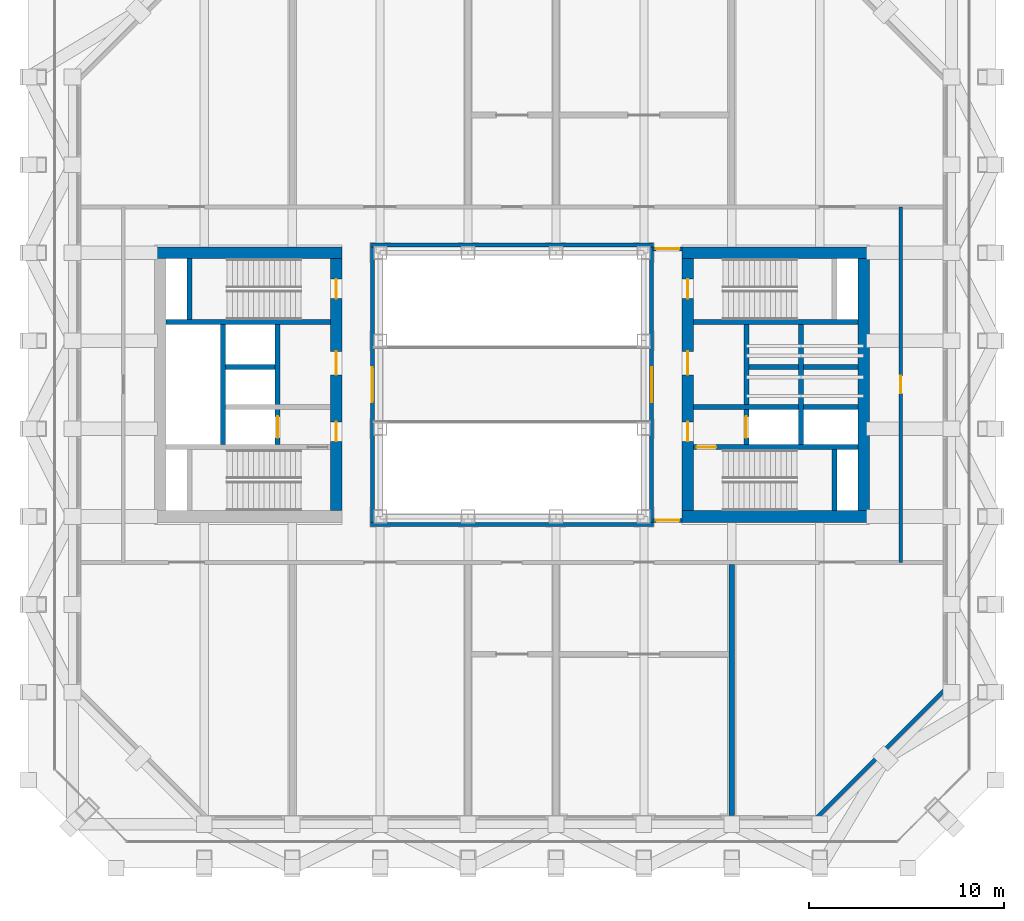
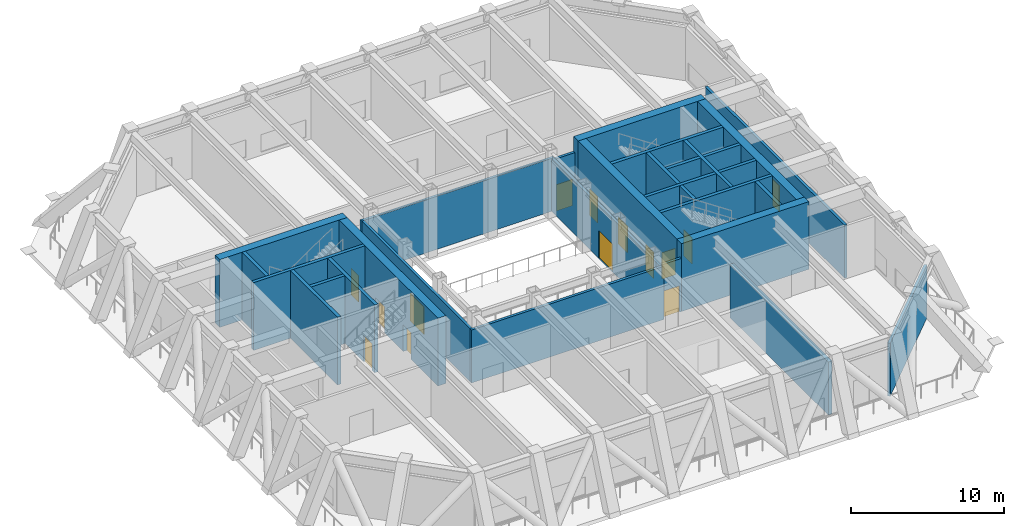
# One storey, part 4 of 9: 29 walls, 14 doors, 14 openings.
"""IFC4 building model written with IfcOpenShell, lengths in metres."""

from ifc_helpers import new_model, si_unit, direction, frame, frame_2d, origin, place, context, subcontext, project, spatial, rectangle, extrude, material, layer, layer_set, type_object, element, fill, save


model = new_model("IFC4")

# Units and contexts
model_context = context("Model", 3, precision=1e-05, world=origin(), true_north=direction((0.0, 1.0)))
body_context = subcontext(model_context, "Body", "Model", "MODEL_VIEW")
ifc_project = project(units=[si_unit("LENGTHUNIT", "METRE"), si_unit("AREAUNIT", "SQUARE_METRE"), si_unit("VOLUMEUNIT", "CUBIC_METRE"), si_unit("PLANEANGLEUNIT", "RADIAN"), si_unit("MASSUNIT", "GRAM", prefix="KILO")], contexts=[model_context])

# Site, building, storey
site_placement = place(None, origin())
site = spatial("IfcSite", under=ifc_project, at=site_placement, CompositionType="ELEMENT")
building_placement = place(site_placement, origin())
building = spatial("IfcBuilding", under=site, at=building_placement, Name="Msasa Ring Tower", CompositionType="ELEMENT")
storey_placement = place(building_placement, frame((0.0, 0.0, 107.0)))
storey = spatial("IfcBuildingStorey", under=building, at=storey_placement, Name="L28", CompositionType="ELEMENT", Elevation=107.0)

# Walls
ifc_material_1 = material(Name="Concrete C60/75", Category="concrete")
ifc_layer_1 = layer(ifc_material_1, 0.60009765625)
ifc_layer_set_1 = layer_set([ifc_layer_1], Name="CW2 CORE WALL 600")
wall_type_1 = type_object("IfcWallType", Name="CW2 CORE WALL 600", PredefinedType="SHEAR", material=ifc_layer_set_1)
for number, where, z_axis, x_axis, name in (
    (1, (8.699951171875, -6.75, 0.0), (0.0, 0.0, 1.0), (1.0, 0.0, 0.0), "E core wall S L28"),
    (2, (8.699951171875, 6.75, 0.0), (0.0, 0.0, 1.0), (1.0, 0.0, 0.0), "E core wall N L28"),
):
    element("IfcWall", number, at=place(storey_placement, frame(where, z_axis=z_axis, x_axis=x_axis)), inside=storey, type_object=wall_type_1, Name=name, PredefinedType="SHEAR", context=body_context, shape_type="SweptSolid", body=[
        extrude(rectangle(XDim=9.60009765625, YDim=0.60009765625, at=frame_2d((4.800048828125, 0.0))), origin(), (0.0, 0.0, 1.0), 5.39990234375),
    ])

# Wall, openings, doors
wall_1_placement = place(storey_placement, frame((9.0, -6.449951171875, 0.0), z_axis=(0.0, 0.0, 1.0), x_axis=(0.0, 1.0, 0.0)))
wall_1 = element("IfcWall", 3, at=wall_1_placement, inside=storey, type_object=wall_type_1, Name="E core wall W L28", PredefinedType="SHEAR", context=body_context, shape_type="SweptSolid", body=[
    extrude(rectangle(XDim=12.89990234375, YDim=0.60009765625, at=frame_2d((6.449951171875, 0.0))), origin(), (0.0, 0.0, 1.0), 5.39990234375),
])
opening_1_placement = place(wall_1_placement, frame((3.550048828125, 0.0, 0.0)))
opening_1 = element("IfcOpeningElement", 4, at=opening_1_placement, cuts=wall_1, Name="Opening L28-020", PredefinedType="OPENING", context=body_context, shape_type="SweptSolid", body=[
    extrude(rectangle(XDim=1.0, YDim=2.10009765625, at=frame_2d((0.5, 1.050048828125))), frame((0.0, 0.31005859375, 0.0), z_axis=(0.0, -1.0, 0.0), x_axis=(1.0, 0.0, 0.0)), (0.0, 0.0, 1.0), 0.6201171875),
])
opening_2_placement = place(wall_1_placement, frame((6.949951171875, 0.0, 0.0)))
opening_2 = element("IfcOpeningElement", 5, at=opening_2_placement, cuts=wall_1, Name="Opening L28-014", PredefinedType="OPENING", context=body_context, shape_type="SweptSolid", body=[
    extrude(rectangle(XDim=1.199951171875, YDim=2.10009765625, at=frame_2d((0.60009765625, 1.050048828125))), frame((0.0, 0.31005859375, 0.0), z_axis=(0.0, -1.0, 0.0), x_axis=(1.0, 0.0, 0.0)), (0.0, 0.0, 1.0), 0.6201171875),
])
opening_3_placement = place(wall_1_placement, frame((10.85009765625, 0.0, 0.0)))
opening_3 = element("IfcOpeningElement", 6, at=opening_3_placement, cuts=wall_1, Name="Opening L28-012", PredefinedType="OPENING", context=body_context, shape_type="SweptSolid", body=[
    extrude(rectangle(XDim=1.0, YDim=2.10009765625, at=frame_2d((0.5, 1.050048828125))), frame((0.0, 0.31005859375, 0.0), z_axis=(0.0, -1.0, 0.0), x_axis=(1.0, 0.0, 0.0)), (0.0, 0.0, 1.0), 0.6201171875),
])
ifc_material_2 = material(Name="Timber door leaf in a steel frame", Category="steel")
door_type_1 = type_object("IfcDoorType", Name="D26 WIDE SERVICE ROOM DOOR 1200x2100", OperationType="SINGLE_SWING_LEFT", PredefinedType="DOOR", material=ifc_material_2)
door_1_placement = place(opening_2_placement, origin())
door_1 = element("IfcDoor", 7, at=door_1_placement, inside=storey, type_object=door_type_1, Name="Door L28-ECR", OperationType="SINGLE_SWING_RIGHT", OverallHeight=2.10009765625, OverallWidth=1.199951171875, PredefinedType="DOOR", context=body_context, shape_type="SweptSolid", body=[
    extrude(rectangle(XDim=1.199951171875, YDim=2.10009765625, at=frame_2d((0.60009765625, 1.050048828125))), frame((0.0, 0.02490234375, 0.0), z_axis=(0.0, -1.0, 0.0), x_axis=(1.0, 0.0, 0.0)), (0.0, 0.0, 1.0), 0.050048828125),
])
fill(opening_2, door_1)
ifc_material_3 = material(Name="Timber door leaf in a steel frame", Category="steel")
door_type_2 = type_object("IfcDoorType", Name="D4 LOBBY DOOR 1000x2100", OperationType="SINGLE_SWING_LEFT", PredefinedType="DOOR", material=ifc_material_3)
door_2_placement = place(opening_1_placement, origin())
door_2 = element("IfcDoor", 8, at=door_2_placement, inside=storey, type_object=door_type_2, Name="Door L28-EFFL", OperationType="SINGLE_SWING_LEFT", OverallHeight=2.10009765625, OverallWidth=1.0, PredefinedType="DOOR", context=body_context, shape_type="SweptSolid", body=[
    extrude(rectangle(XDim=1.0, YDim=2.10009765625, at=frame_2d((0.5, 1.050048828125))), frame((0.0, 0.02490234375, 0.0), z_axis=(0.0, -1.0, 0.0), x_axis=(1.0, 0.0, 0.0)), (0.0, 0.0, 1.0), 0.050048828125),
])
fill(opening_1, door_2)
ifc_material_4 = material(Name="Timber door leaf in a steel frame", Category="steel")
door_type_3 = type_object("IfcDoorType", Name="D6 STAIR DOOR 1000x2100", OperationType="SINGLE_SWING_LEFT", PredefinedType="DOOR", material=ifc_material_4)
door_3_placement = place(opening_3_placement, origin())
door_3 = element("IfcDoor", 9, at=door_3_placement, inside=storey, type_object=door_type_3, Name="Door L28-ESTB", OperationType="SINGLE_SWING_RIGHT", OverallHeight=2.10009765625, OverallWidth=1.0, PredefinedType="DOOR", context=body_context, shape_type="SweptSolid", body=[
    extrude(rectangle(XDim=1.0, YDim=2.10009765625, at=frame_2d((0.5, 1.050048828125))), frame((0.0, 0.02490234375, 0.0), z_axis=(0.0, -1.0, 0.0), x_axis=(1.0, 0.0, 0.0)), (0.0, 0.0, 1.0), 0.050048828125),
])
fill(opening_3, door_3)

# Walls
wall_2_placement = place(storey_placement, frame((18.0, -6.449951171875, 0.0), z_axis=(0.0, 0.0, 1.0), x_axis=(0.0, 1.0, 0.0)))
element("IfcWall", 10, at=wall_2_placement, inside=storey, type_object=wall_type_1, Name="E core wall E L28", PredefinedType="SHEAR", context=body_context, shape_type="SweptSolid", body=[
    extrude(rectangle(XDim=12.89990234375, YDim=0.60009765625, at=frame_2d((6.449951171875, 0.0))), origin(), (0.0, 0.0, 1.0), 5.39990234375),
])
wall_3_placement = place(storey_placement, frame((-8.699951171875, 6.75, 0.0), z_axis=(0.0, 0.0, 1.0), x_axis=(-1.0, 0.0, 0.0)))
element("IfcWall", 11, at=wall_3_placement, inside=storey, type_object=wall_type_1, Name="W core wall N L28", PredefinedType="SHEAR", context=body_context, shape_type="SweptSolid", body=[
    extrude(rectangle(XDim=9.60009765625, YDim=0.60009765625, at=frame_2d((4.800048828125, 0.0))), origin(), (0.0, 0.0, 1.0), 5.39990234375),
])

# Wall, openings, doors
wall_4_placement = place(storey_placement, frame((-9.0, -6.449951171875, 0.0), z_axis=(0.0, 0.0, 1.0), x_axis=(0.0, 1.0, 0.0)))
wall_4 = element("IfcWall", 12, at=wall_4_placement, inside=storey, type_object=wall_type_1, Name="W core wall W L28", PredefinedType="SHEAR", context=body_context, shape_type="SweptSolid", body=[
    extrude(rectangle(XDim=12.89990234375, YDim=0.60009765625, at=frame_2d((6.449951171875, 0.0))), origin(), (0.0, 0.0, 1.0), 5.39990234375),
])
opening_4_placement = place(wall_4_placement, frame((3.550048828125, 0.0, 0.0)))
opening_4 = element("IfcOpeningElement", 13, at=opening_4_placement, cuts=wall_4, Name="Opening L28-019", PredefinedType="OPENING", context=body_context, shape_type="SweptSolid", body=[
    extrude(rectangle(XDim=1.0, YDim=2.10009765625, at=frame_2d((0.5, 1.050048828125))), frame((0.0, 0.31005859375, 0.0), z_axis=(0.0, -1.0, 0.0), x_axis=(1.0, 0.0, 0.0)), (0.0, 0.0, 1.0), 0.6201171875),
])
opening_5_placement = place(wall_4_placement, frame((6.949951171875, 0.0, 0.0)))
opening_5 = element("IfcOpeningElement", 14, at=opening_5_placement, cuts=wall_4, Name="Opening L28-013", PredefinedType="OPENING", context=body_context, shape_type="SweptSolid", body=[
    extrude(rectangle(XDim=1.199951171875, YDim=2.10009765625, at=frame_2d((0.60009765625, 1.050048828125))), frame((0.0, 0.31005859375, 0.0), z_axis=(0.0, -1.0, 0.0), x_axis=(1.0, 0.0, 0.0)), (0.0, 0.0, 1.0), 0.6201171875),
])
opening_6_placement = place(wall_4_placement, frame((10.85009765625, 0.0, 0.0)))
opening_6 = element("IfcOpeningElement", 15, at=opening_6_placement, cuts=wall_4, Name="Opening L28-011", PredefinedType="OPENING", context=body_context, shape_type="SweptSolid", body=[
    extrude(rectangle(XDim=1.0, YDim=2.10009765625, at=frame_2d((0.5, 1.050048828125))), frame((0.0, 0.31005859375, 0.0), z_axis=(0.0, -1.0, 0.0), x_axis=(1.0, 0.0, 0.0)), (0.0, 0.0, 1.0), 0.6201171875),
])
door_4_placement = place(opening_5_placement, origin())
door_4 = element("IfcDoor", 16, at=door_4_placement, inside=storey, type_object=door_type_1, Name="Door L28-WCR", OperationType="SINGLE_SWING_RIGHT", OverallHeight=2.10009765625, OverallWidth=1.199951171875, PredefinedType="DOOR", context=body_context, shape_type="SweptSolid", body=[
    extrude(rectangle(XDim=1.199951171875, YDim=2.10009765625, at=frame_2d((0.60009765625, 1.050048828125))), frame((0.0, 0.02490234375, 0.0), z_axis=(0.0, -1.0, 0.0), x_axis=(1.0, 0.0, 0.0)), (0.0, 0.0, 1.0), 0.050048828125),
])
fill(opening_5, door_4)
door_5_placement = place(opening_4_placement, origin())
door_5 = element("IfcDoor", 17, at=door_5_placement, inside=storey, type_object=door_type_2, Name="Door L28-WFFL", OperationType="SINGLE_SWING_LEFT", OverallHeight=2.10009765625, OverallWidth=1.0, PredefinedType="DOOR", context=body_context, shape_type="SweptSolid", body=[
    extrude(rectangle(XDim=1.0, YDim=2.10009765625, at=frame_2d((0.5, 1.050048828125))), frame((0.0, 0.02490234375, 0.0), z_axis=(0.0, -1.0, 0.0), x_axis=(1.0, 0.0, 0.0)), (0.0, 0.0, 1.0), 0.050048828125),
])
fill(opening_4, door_5)
door_6_placement = place(opening_6_placement, origin())
door_6 = element("IfcDoor", 18, at=door_6_placement, inside=storey, type_object=door_type_3, Name="Door L28-WSTB", OperationType="SINGLE_SWING_RIGHT", OverallHeight=2.10009765625, OverallWidth=1.0, PredefinedType="DOOR", context=body_context, shape_type="SweptSolid", body=[
    extrude(rectangle(XDim=1.0, YDim=2.10009765625, at=frame_2d((0.5, 1.050048828125))), frame((0.0, 0.02490234375, 0.0), z_axis=(0.0, -1.0, 0.0), x_axis=(1.0, 0.0, 0.0)), (0.0, 0.0, 1.0), 0.050048828125),
])
fill(opening_6, door_6)

# Wall, opening, door
ifc_material_5 = material(Name="Concrete C60/75", Category="concrete")
ifc_layer_2 = layer(ifc_material_5, 0.25)
ifc_layer_set_2 = layer_set([ifc_layer_2], Name="CW4 CORE INNER WALL 250")
wall_type_2 = type_object("IfcWallType", Name="CW4 CORE INNER WALL 250", PredefinedType="SHEAR", material=ifc_layer_set_2)
wall_5_placement = place(storey_placement, frame((9.300048828125, -3.199951171875, 0.0), z_axis=(0.0, 0.0, 1.0), x_axis=(1.0, 0.0, 0.0)))
wall_5 = element("IfcWall", 19, at=wall_5_placement, inside=storey, type_object=wall_type_2, Name="E core wall STAIRA L28", PredefinedType="SHEAR", context=body_context, shape_type="SweptSolid", body=[
    extrude(rectangle(XDim=8.39990234375, YDim=0.25, at=frame_2d((4.199951171875, 0.0))), origin(), (0.0, 0.0, 1.0), 5.39990234375),
])
opening_7_placement = place(wall_5_placement, frame((0.14990234375, 0.0, 0.0)))
opening_7 = element("IfcOpeningElement", 20, at=opening_7_placement, cuts=wall_5, Name="Opening L28-022", PredefinedType="OPENING", context=body_context, shape_type="SweptSolid", body=[
    extrude(rectangle(XDim=1.0, YDim=2.10009765625, at=frame_2d((0.5, 1.050048828125))), frame((0.0, 0.135009765625, 0.0), z_axis=(0.0, -1.0, 0.0), x_axis=(1.0, 0.0, 0.0)), (0.0, 0.0, 1.0), 0.27001953125),
])
door_7_placement = place(opening_7_placement, origin())
door_7 = element("IfcDoor", 21, at=door_7_placement, inside=storey, type_object=door_type_3, Name="Door L28-ESTA", OperationType="SINGLE_SWING_LEFT", OverallHeight=2.10009765625, OverallWidth=1.0, PredefinedType="DOOR", context=body_context, shape_type="SweptSolid", body=[
    extrude(rectangle(XDim=1.0, YDim=2.10009765625, at=frame_2d((0.5, 1.050048828125))), frame((0.0, 0.02490234375, 0.0), z_axis=(0.0, -1.0, 0.0), x_axis=(1.0, 0.0, 0.0)), (0.0, 0.0, 1.0), 0.050048828125),
])
fill(opening_7, door_7)

# Walls
wall_6_placement = place(storey_placement, frame((9.300048828125, 3.199951171875, 0.0), z_axis=(0.0, 0.0, 1.0), x_axis=(1.0, 0.0, 0.0)))
element("IfcWall", 22, at=wall_6_placement, inside=storey, type_object=wall_type_2, Name="E core wall STAIRB L28", PredefinedType="SHEAR", context=body_context, shape_type="SweptSolid", body=[
    extrude(rectangle(XDim=8.39990234375, YDim=0.25, at=frame_2d((4.199951171875, 0.0))), origin(), (0.0, 0.0, 1.0), 5.39990234375),
])
wall_7_placement = place(storey_placement, frame((16.5, -6.449951171875, 0.0), z_axis=(0.0, 0.0, 1.0), x_axis=(0.0, 1.0, 0.0)))
element("IfcWall", 23, at=wall_7_placement, inside=storey, type_object=wall_type_2, Name="E core wall RISERA L28", PredefinedType="SHEAR", context=body_context, shape_type="SweptSolid", body=[
    extrude(rectangle(XDim=3.125, YDim=0.25, at=frame_2d((1.5625, 0.0))), origin(), (0.0, 0.0, 1.0), 5.39990234375),
])
wall_8_placement = place(storey_placement, frame((9.300048828125, -1.14990234375, 0.0), z_axis=(0.0, 0.0, 1.0), x_axis=(1.0, 0.0, 0.0)))
element("IfcWall", 24, at=wall_8_placement, inside=storey, type_object=wall_type_2, Name="E core wall FFL L28", PredefinedType="SHEAR", context=body_context, shape_type="SweptSolid", body=[
    extrude(rectangle(XDim=5.375, YDim=0.25, at=frame_2d((2.6875, 0.0))), origin(), (0.0, 0.0, 1.0), 5.39990234375),
])

# Wall, opening, door
wall_9_placement = place(storey_placement, frame((12.0, -3.074951171875, 0.0), z_axis=(0.0, 0.0, 1.0), x_axis=(0.0, 1.0, 0.0)))
wall_9 = element("IfcWall", 25, at=wall_9_placement, inside=storey, type_object=wall_type_2, Name="E core wall LOBBY L28", PredefinedType="SHEAR", context=body_context, shape_type="SweptSolid", body=[
    extrude(rectangle(XDim=6.14990234375, YDim=0.25, at=frame_2d((3.074951171875, 0.0))), origin(), (0.0, 0.0, 1.0), 5.39990234375),
])
opening_8_placement = place(wall_9_placement, frame((0.35009765625, 0.0, 0.0)))
opening_8 = element("IfcOpeningElement", 26, at=opening_8_placement, cuts=wall_9, Name="Opening LD1", PredefinedType="OPENING", context=body_context, shape_type="SweptSolid", body=[
    extrude(rectangle(XDim=1.10009765625, YDim=2.10009765625, at=frame_2d((0.550048828125, 1.050048828125))), frame((0.0, 0.135009765625, 0.0), z_axis=(0.0, -1.0, 0.0), x_axis=(1.0, 0.0, 0.0)), (0.0, 0.0, 1.0), 0.27001953125),
])
ifc_material_6 = material(Name="Stainless steel lift landing door", Category="steel")
door_type_4 = type_object("IfcDoorType", Name="LD1 LIFT LANDING DOOR 1100x2100", OperationType="DOUBLE_DOOR_SLIDING", PredefinedType="DOOR", material=ifc_material_6)
door_8_placement = place(opening_8_placement, origin())
door_8 = element("IfcDoor", 27, at=door_8_placement, inside=storey, type_object=door_type_4, Name="Lift landing door FL-E L28", OperationType="DOUBLE_DOOR_SLIDING", OverallHeight=2.10009765625, OverallWidth=1.10009765625, PredefinedType="DOOR", context=body_context, shape_type="SweptSolid", body=[
    extrude(rectangle(XDim=1.10009765625, YDim=2.10009765625, at=frame_2d((0.550048828125, 1.050048828125))), frame((0.0, 0.02490234375, 0.0), z_axis=(0.0, -1.0, 0.0), x_axis=(1.0, 0.0, 0.0)), (0.0, 0.0, 1.0), 0.050048828125),
])
fill(opening_8, door_8)

# Walls
wall_10_placement = place(storey_placement, frame((14.800048828125, -3.074951171875, 0.0), z_axis=(0.0, 0.0, 1.0), x_axis=(0.0, 1.0, 0.0)))
element("IfcWall", 28, at=wall_10_placement, inside=storey, type_object=wall_type_2, Name="E core wall SHAFT L28", PredefinedType="SHEAR", context=body_context, shape_type="SweptSolid", body=[
    extrude(rectangle(XDim=6.14990234375, YDim=0.25, at=frame_2d((3.074951171875, 0.0))), origin(), (0.0, 0.0, 1.0), 5.39990234375),
])
wall_11_placement = place(storey_placement, frame((12.125, 0.89990234375, 0.0), z_axis=(0.0, 0.0, 1.0), x_axis=(1.0, 0.0, 0.0)))
element("IfcWall", 29, at=wall_11_placement, inside=storey, type_object=wall_type_2, Name="E core wall LIFT1 L28", PredefinedType="SHEAR", context=body_context, shape_type="SweptSolid", body=[
    extrude(rectangle(XDim=2.550048828125, YDim=0.25, at=frame_2d((1.27490234375, 0.0))), origin(), (0.0, 0.0, 1.0), 5.39990234375),
])
for number, where, z_axis, x_axis, name in (
    (30, (14.925048828125, -1.14990234375, 0.0), (0.0, 0.0, 1.0), (1.0, 0.0, 0.0), "E core wall HSEP L28"),
    (31, (14.925048828125, 0.89990234375, 0.0), (0.0, 0.0, 1.0), (1.0, 0.0, 0.0), "E core wall HLIFT L28"),
):
    element("IfcWall", number, at=place(storey_placement, frame(where, z_axis=z_axis, x_axis=x_axis)), inside=storey, type_object=wall_type_2, Name=name, PredefinedType="SHEAR", context=body_context, shape_type="SweptSolid", body=[
        extrude(rectangle(XDim=2.77490234375, YDim=0.25, at=frame_2d((1.387451171875, 0.0))), origin(), (0.0, 0.0, 1.0), 5.39990234375),
    ])
wall_12_placement = place(storey_placement, frame((-9.300048828125, 3.199951171875, 0.0), z_axis=(0.0, 0.0, 1.0), x_axis=(-1.0, 0.0, 0.0)))
element("IfcWall", 32, at=wall_12_placement, inside=storey, type_object=wall_type_2, Name="W core wall STAIRB L28", PredefinedType="SHEAR", context=body_context, shape_type="SweptSolid", body=[
    extrude(rectangle(XDim=8.39990234375, YDim=0.25, at=frame_2d((4.199951171875, 0.0))), origin(), (0.0, 0.0, 1.0), 5.39990234375),
])
wall_13_placement = place(storey_placement, frame((-16.5, 3.324951171875, 0.0), z_axis=(0.0, 0.0, 1.0), x_axis=(0.0, 1.0, 0.0)))
element("IfcWall", 33, at=wall_13_placement, inside=storey, type_object=wall_type_2, Name="W core wall RISERB L28", PredefinedType="SHEAR", context=body_context, shape_type="SweptSolid", body=[
    extrude(rectangle(XDim=3.125, YDim=0.25, at=frame_2d((1.5625, 0.0))), origin(), (0.0, 0.0, 1.0), 5.39990234375),
])

# Wall, opening, door
wall_14_placement = place(storey_placement, frame((-12.0, -3.074951171875, 0.0), z_axis=(0.0, 0.0, 1.0), x_axis=(0.0, 1.0, 0.0)))
wall_14 = element("IfcWall", 34, at=wall_14_placement, inside=storey, type_object=wall_type_2, Name="W core wall LOBBY L28", PredefinedType="SHEAR", context=body_context, shape_type="SweptSolid", body=[
    extrude(rectangle(XDim=6.14990234375, YDim=0.25, at=frame_2d((3.074951171875, 0.0))), origin(), (0.0, 0.0, 1.0), 5.39990234375),
])
opening_9_placement = place(wall_14_placement, frame((0.35009765625, 0.0, 0.0)))
opening_9 = element("IfcOpeningElement", 35, at=opening_9_placement, cuts=wall_14, Name="Opening LD1", PredefinedType="OPENING", context=body_context, shape_type="SweptSolid", body=[
    extrude(rectangle(XDim=1.10009765625, YDim=2.10009765625, at=frame_2d((0.550048828125, 1.050048828125))), frame((0.0, 0.135009765625, 0.0), z_axis=(0.0, -1.0, 0.0), x_axis=(1.0, 0.0, 0.0)), (0.0, 0.0, 1.0), 0.27001953125),
])
door_9_placement = place(opening_9_placement, origin())
door_9 = element("IfcDoor", 36, at=door_9_placement, inside=storey, type_object=door_type_4, Name="Lift landing door FL-W L28", OperationType="DOUBLE_DOOR_SLIDING", OverallHeight=2.10009765625, OverallWidth=1.10009765625, PredefinedType="DOOR", context=body_context, shape_type="SweptSolid", body=[
    extrude(rectangle(XDim=1.10009765625, YDim=2.10009765625, at=frame_2d((0.550048828125, 1.050048828125))), frame((0.0, 0.02490234375, 0.0), z_axis=(0.0, -1.0, 0.0), x_axis=(1.0, 0.0, 0.0)), (0.0, 0.0, 1.0), 0.050048828125),
])
fill(opening_9, door_9)

# Walls
wall_15_placement = place(storey_placement, frame((-14.800048828125, -3.074951171875, 0.0), z_axis=(0.0, 0.0, 1.0), x_axis=(0.0, 1.0, 0.0)))
element("IfcWall", 37, at=wall_15_placement, inside=storey, type_object=wall_type_2, Name="W core wall SHAFT L28", PredefinedType="SHEAR", context=body_context, shape_type="SweptSolid", body=[
    extrude(rectangle(XDim=6.14990234375, YDim=0.25, at=frame_2d((3.074951171875, 0.0))), origin(), (0.0, 0.0, 1.0), 5.39990234375),
])
wall_16_placement = place(storey_placement, frame((-12.125, 0.89990234375, 0.0), z_axis=(0.0, 0.0, 1.0), x_axis=(-1.0, 0.0, 0.0)))
element("IfcWall", 38, at=wall_16_placement, inside=storey, type_object=wall_type_2, Name="W core wall LIFT1 L28", PredefinedType="SHEAR", context=body_context, shape_type="SweptSolid", body=[
    extrude(rectangle(XDim=2.550048828125, YDim=0.25, at=frame_2d((1.27490234375, 0.0))), origin(), (0.0, 0.0, 1.0), 5.39990234375),
])
ifc_material_7 = material(Name="Terracotta rainscreen on blockwork", Category="masonry")
ifc_layer_3 = layer(ifc_material_7, 0.199951171875)
ifc_layer_set_3 = layer_set([ifc_layer_3], Name="FW3 PLANT FLOOR WALL 200")
wall_type_3 = type_object("IfcWallType", Name="FW3 PLANT FLOOR WALL 200", PredefinedType="SOLIDWALL", material=ifc_layer_set_3)
wall_17_placement = place(storey_placement, frame((15.60498046875, -22.14990234375, 0.0), z_axis=(0.0, 0.0, 1.0), x_axis=(0.707106781187, 0.707106781187, 0.0)))
element("IfcWall", 39, at=wall_17_placement, inside=storey, type_object=wall_type_3, Name="Plant floor wall SE L28", PredefinedType="SOLIDWALL", context=body_context, shape_type="SweptSolid", body=[
    extrude(rectangle(XDim=9.255859375, YDim=0.199951171875, at=frame_2d((4.6279296875, 0.0))), origin(), (0.0, 0.0, 1.0), 4.223388671875),
])
ifc_material_8 = material(Name="Terracotta rainscreen on blockwork", Category="masonry")
ifc_layer_4 = layer(ifc_material_8, 0.199951171875)
ifc_layer_set_4 = layer_set([ifc_layer_4], Name="FW4 LIGHT WELL WALL 200")
wall_type_4 = type_object("IfcWallType", Name="FW4 LIGHT WELL WALL 200", PredefinedType="SOLIDWALL", material=ifc_layer_set_4)
for number, where, z_axis, x_axis, name in (
    (40, (-7.25, 7.14990234375, 0.0), (0.0, 0.0, 1.0), (1.0, 0.0, 0.0), "Light well wall N L28"),
    (41, (-7.25, -7.14990234375, 0.0), (0.0, 0.0, 1.0), (1.0, 0.0, 0.0), "Light well wall S L28"),
):
    element("IfcWall", number, at=place(storey_placement, frame(where, z_axis=z_axis, x_axis=x_axis)), inside=storey, type_object=wall_type_4, Name=name, PredefinedType="SOLIDWALL", context=body_context, shape_type="SweptSolid", body=[
        extrude(rectangle(XDim=14.5, YDim=0.199951171875, at=frame_2d((7.25, 0.0))), origin(), (0.0, 0.0, 1.0), 4.22900390625),
    ])

# Wall, opening, door
wall_18_placement = place(storey_placement, frame((7.14990234375, -7.050048828125, 0.0), z_axis=(0.0, 0.0, 1.0), x_axis=(0.0, 1.0, 0.0)))
wall_18 = element("IfcWall", 42, at=wall_18_placement, inside=storey, type_object=wall_type_4, Name="Light well wall E L28", PredefinedType="SOLIDWALL", context=body_context, shape_type="SweptSolid", body=[
    extrude(rectangle(XDim=14.10009765625, YDim=0.199951171875, at=frame_2d((7.050048828125, 0.0))), origin(), (0.0, 0.0, 1.0), 4.22900390625),
])
opening_10_placement = place(wall_18_placement, frame((6.14990234375, 0.0, 0.0)))
opening_10 = element("IfcOpeningElement", 43, at=opening_10_placement, cuts=wall_18, Name="Opening L28-017", PredefinedType="OPENING", context=body_context, shape_type="SweptSolid", body=[
    extrude(rectangle(XDim=1.800048828125, YDim=2.199951171875, at=frame_2d((0.89990234375, 1.10009765625))), frame((0.0, 0.10986328125, 0.0), z_axis=(0.0, -1.0, 0.0), x_axis=(1.0, 0.0, 0.0)), (0.0, 0.0, 1.0), 0.219970703125),
])
ifc_material_9 = material(Name="Aluminium frame with clear glass", Category="aluminium")
door_type_5 = type_object("IfcDoorType", Name="ED4 BRIDGE DOOR 1800x2200", OperationType="DOUBLE_DOOR_SINGLE_SWING", PredefinedType="DOOR", material=ifc_material_9)
door_10_placement = place(opening_10_placement, origin())
door_10 = element("IfcDoor", 44, at=door_10_placement, inside=storey, type_object=door_type_5, Name="Well bridge door E L28", OperationType="DOUBLE_DOOR_SINGLE_SWING", OverallHeight=2.199951171875, OverallWidth=1.800048828125, PredefinedType="DOOR", context=body_context, shape_type="SweptSolid", body=[
    extrude(rectangle(XDim=1.800048828125, YDim=2.199951171875, at=frame_2d((0.89990234375, 1.10009765625))), frame((0.0, 0.02490234375, 0.0), z_axis=(0.0, -1.0, 0.0), x_axis=(1.0, 0.0, 0.0)), (0.0, 0.0, 1.0), 0.050048828125),
])
fill(opening_10, door_10)

wall_19_placement = place(storey_placement, frame((-7.14990234375, -7.050048828125, 0.0), z_axis=(0.0, 0.0, 1.0), x_axis=(0.0, 1.0, 0.0)))
wall_19 = element("IfcWall", 45, at=wall_19_placement, inside=storey, type_object=wall_type_4, Name="Light well wall W L28", PredefinedType="SOLIDWALL", context=body_context, shape_type="SweptSolid", body=[
    extrude(rectangle(XDim=14.10009765625, YDim=0.199951171875, at=frame_2d((7.050048828125, 0.0))), origin(), (0.0, 0.0, 1.0), 4.22900390625),
])
opening_11_placement = place(wall_19_placement, frame((6.14990234375, 0.0, 0.0)))
opening_11 = element("IfcOpeningElement", 46, at=opening_11_placement, cuts=wall_19, Name="Opening L28-016", PredefinedType="OPENING", context=body_context, shape_type="SweptSolid", body=[
    extrude(rectangle(XDim=1.800048828125, YDim=2.199951171875, at=frame_2d((0.89990234375, 1.10009765625))), frame((0.0, 0.10986328125, 0.0), z_axis=(0.0, -1.0, 0.0), x_axis=(1.0, 0.0, 0.0)), (0.0, 0.0, 1.0), 0.219970703125),
])
ifc_material_10 = material(Name="Aluminium frame with clear glass", Category="aluminium")
door_type_6 = type_object("IfcDoorType", Name="ED12 SLIDING BRIDGE DOOR 1800x2200", OperationType="DOUBLE_DOOR_SLIDING", PredefinedType="DOOR", material=ifc_material_10)
door_11_placement = place(opening_11_placement, origin())
door_11 = element("IfcDoor", 47, at=door_11_placement, inside=storey, type_object=door_type_6, Name="Well bridge door W L28", OperationType="DOUBLE_DOOR_SLIDING", OverallHeight=2.199951171875, OverallWidth=1.800048828125, PredefinedType="DOOR", context=body_context, shape_type="SweptSolid", body=[
    extrude(rectangle(XDim=1.800048828125, YDim=2.199951171875, at=frame_2d((0.89990234375, 1.10009765625))), frame((0.0, 0.02490234375, 0.0), z_axis=(0.0, -1.0, 0.0), x_axis=(1.0, 0.0, 0.0)), (0.0, 0.0, 1.0), 0.050048828125),
])
fill(opening_11, door_11)

ifc_material_11 = material(Name="Concrete blockwork", Category="masonry")
ifc_layer_5 = layer(ifc_material_11, 0.199951171875)
ifc_layer_set_5 = layer_set([ifc_layer_5], Name="PT1 CORRIDOR WALL 200")
wall_type_5 = type_object("IfcWallType", Name="PT1 CORRIDOR WALL 200", PredefinedType="PARTITIONING", material=ifc_layer_set_5)
wall_20_placement = place(storey_placement, frame((7.22998046875, 6.949951171875, 0.0), z_axis=(0.0, 0.0, 1.0), x_axis=(1.0, 0.0, 0.0)))
wall_20 = element("IfcWall", 48, at=wall_20_placement, inside=storey, type_object=wall_type_5, Name="Corridor wall L28-SDEN", PredefinedType="PARTITIONING", context=body_context, shape_type="SweptSolid", body=[
    extrude(rectangle(XDim=1.469970703125, YDim=0.199951171875, at=frame_2d((0.73486328125, 0.0))), origin(), (0.0, 0.0, 1.0), 4.22900390625),
])
opening_12_placement = place(wall_20_placement, frame((0.135009765625, 0.0, 0.0)))
opening_12 = element("IfcOpeningElement", 49, at=opening_12_placement, cuts=wall_20, Name="Opening L28-010", PredefinedType="OPENING", context=body_context, shape_type="SweptSolid", body=[
    extrude(rectangle(XDim=1.199951171875, YDim=2.10009765625, at=frame_2d((0.60009765625, 1.050048828125))), frame((0.0, 0.10986328125, 0.0), z_axis=(0.0, -1.0, 0.0), x_axis=(1.0, 0.0, 0.0)), (0.0, 0.0, 1.0), 0.219970703125),
])
ifc_material_12 = material(Name="Timber door leaf in a steel frame", Category="steel")
door_type_7 = type_object("IfcDoorType", Name="D25 CORRIDOR PAIR OF SMOKE DOORS 1200x2100", OperationType="DOUBLE_DOOR_DOUBLE_SWING", PredefinedType="DOOR", material=ifc_material_12)
door_12_placement = place(opening_12_placement, origin())
door_12 = element("IfcDoor", 50, at=door_12_placement, inside=storey, type_object=door_type_7, Name="Door L28-SDEN", OperationType="DOUBLE_DOOR_DOUBLE_SWING", OverallHeight=2.10009765625, OverallWidth=1.199951171875, PredefinedType="DOOR", context=body_context, shape_type="SweptSolid", body=[
    extrude(rectangle(XDim=1.199951171875, YDim=2.10009765625, at=frame_2d((0.60009765625, 1.050048828125))), frame((0.0, 0.02490234375, 0.0), z_axis=(0.0, -1.0, 0.0), x_axis=(1.0, 0.0, 0.0)), (0.0, 0.0, 1.0), 0.050048828125),
])
fill(opening_12, door_12)

wall_21_placement = place(storey_placement, frame((7.22998046875, -6.949951171875, 0.0), z_axis=(0.0, 0.0, 1.0), x_axis=(1.0, 0.0, 0.0)))
wall_21 = element("IfcWall", 51, at=wall_21_placement, inside=storey, type_object=wall_type_5, Name="Corridor wall L28-SDES", PredefinedType="PARTITIONING", context=body_context, shape_type="SweptSolid", body=[
    extrude(rectangle(XDim=1.469970703125, YDim=0.199951171875, at=frame_2d((0.73486328125, 0.0))), origin(), (0.0, 0.0, 1.0), 4.22900390625),
])
opening_13_placement = place(wall_21_placement, frame((0.135009765625, 0.0, 0.0)))
opening_13 = element("IfcOpeningElement", 52, at=opening_13_placement, cuts=wall_21, Name="Opening L28-023", PredefinedType="OPENING", context=body_context, shape_type="SweptSolid", body=[
    extrude(rectangle(XDim=1.199951171875, YDim=2.10009765625, at=frame_2d((0.60009765625, 1.050048828125))), frame((0.0, 0.10986328125, 0.0), z_axis=(0.0, -1.0, 0.0), x_axis=(1.0, 0.0, 0.0)), (0.0, 0.0, 1.0), 0.219970703125),
])
door_13_placement = place(opening_13_placement, origin())
door_13 = element("IfcDoor", 53, at=door_13_placement, inside=storey, type_object=door_type_7, Name="Door L28-SDES", OperationType="DOUBLE_DOOR_DOUBLE_SWING", OverallHeight=2.10009765625, OverallWidth=1.199951171875, PredefinedType="DOOR", context=body_context, shape_type="SweptSolid", body=[
    extrude(rectangle(XDim=1.199951171875, YDim=2.10009765625, at=frame_2d((0.60009765625, 1.050048828125))), frame((0.0, 0.02490234375, 0.0), z_axis=(0.0, -1.0, 0.0), x_axis=(1.0, 0.0, 0.0)), (0.0, 0.0, 1.0), 0.050048828125),
])
fill(opening_13, door_13)

wall_22_placement = place(storey_placement, frame((19.89990234375, -9.10009765625, 0.0), z_axis=(0.0, 0.0, 1.0), x_axis=(0.0, 1.0, 0.0)))
wall_22 = element("IfcWall", 54, at=wall_22_placement, inside=storey, type_object=wall_type_5, Name="Corridor wall L28-STRE", PredefinedType="PARTITIONING", context=body_context, shape_type="SweptSolid", body=[
    extrude(rectangle(XDim=18.2001953125, YDim=0.199951171875, at=frame_2d((9.10009765625, 0.0))), origin(), (0.0, 0.0, 1.0), 4.22900390625),
])
opening_14_placement = place(wall_22_placement, frame((8.64990234375, 0.0, 0.0)))
opening_14 = element("IfcOpeningElement", 55, at=opening_14_placement, cuts=wall_22, Name="Opening L28-018", PredefinedType="OPENING", context=body_context, shape_type="SweptSolid", body=[
    extrude(rectangle(XDim=0.89990234375, YDim=2.10009765625, at=frame_2d((0.449951171875, 1.050048828125))), frame((0.0, 0.10986328125, 0.0), z_axis=(0.0, -1.0, 0.0), x_axis=(1.0, 0.0, 0.0)), (0.0, 0.0, 1.0), 0.219970703125),
])
ifc_material_13 = material(Name="Timber door leaf in a steel frame", Category="steel")
door_type_8 = type_object("IfcDoorType", Name="D41 PLANT ROOM DOOR 900x2100", OperationType="SINGLE_SWING_LEFT", PredefinedType="DOOR", material=ifc_material_13)
door_14_placement = place(opening_14_placement, origin())
door_14 = element("IfcDoor", 56, at=door_14_placement, inside=storey, type_object=door_type_8, Name="Door L28-SWE", OperationType="SINGLE_SWING_LEFT", OverallHeight=2.10009765625, OverallWidth=0.89990234375, PredefinedType="DOOR", context=body_context, shape_type="SweptSolid", body=[
    extrude(rectangle(XDim=0.89990234375, YDim=2.10009765625, at=frame_2d((0.449951171875, 1.050048828125))), frame((0.0, 0.02490234375, 0.0), z_axis=(0.0, -1.0, 0.0), x_axis=(1.0, 0.0, 0.0)), (0.0, 0.0, 1.0), 0.050048828125),
])
fill(opening_14, door_14)

# Wall
ifc_material_14 = material(Name="Dense concrete blockwork, fair faced", Category="masonry")
ifc_layer_6 = layer(ifc_material_14, 0.300048828125)
ifc_layer_set_6 = layer_set([ifc_layer_6], Name="PT7 PLANT ROOM WALL 300")
wall_type_6 = type_object("IfcWallType", Name="PT7 PLANT ROOM WALL 300", PredefinedType="PARTITIONING", material=ifc_layer_set_6)
wall_23_placement = place(storey_placement, frame((11.25, -22.050048828125, 0.0), z_axis=(0.0, 0.0, 1.0), x_axis=(0.0, 1.0, 0.0)))
element("IfcWall", 57, at=wall_23_placement, inside=storey, type_object=wall_type_6, Name="Partition L28-PLSW4", PredefinedType="PARTITIONING", context=body_context, shape_type="SweptSolid", body=[
    extrude(rectangle(XDim=12.85009765625, YDim=0.300048828125, at=frame_2d((6.425048828125, 0.0))), origin(), (0.0, 0.0, 1.0), 4.22900390625),
])

save(model, "model.ifc")
